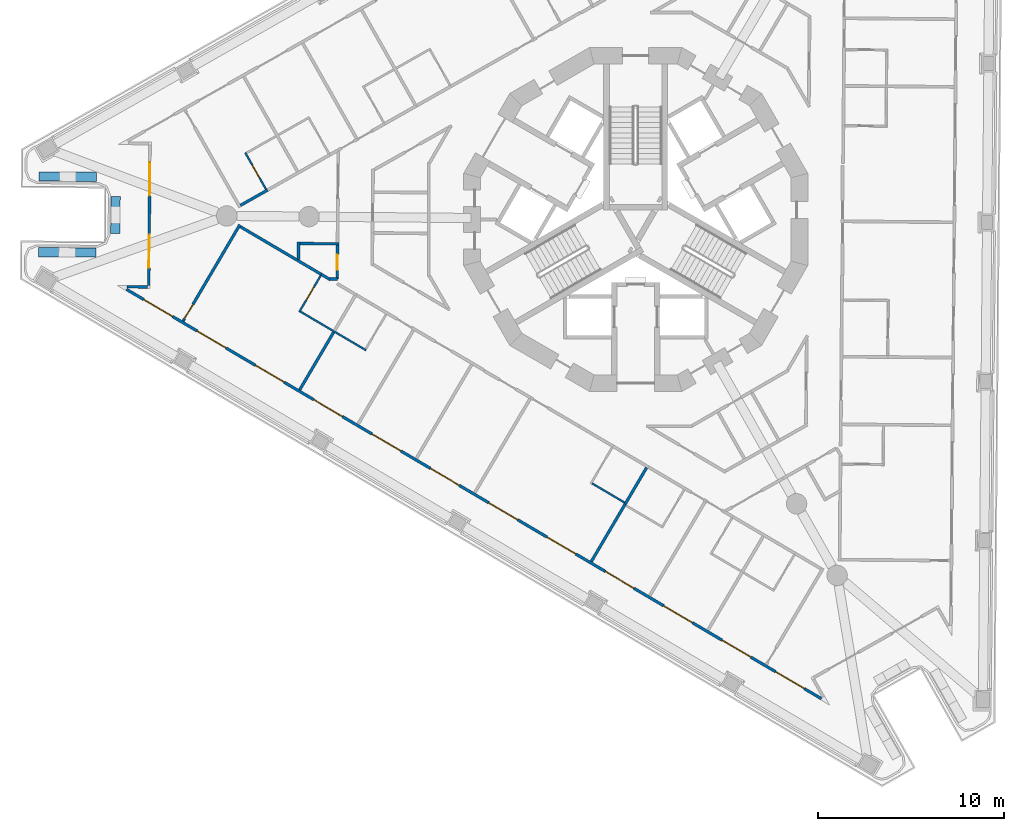
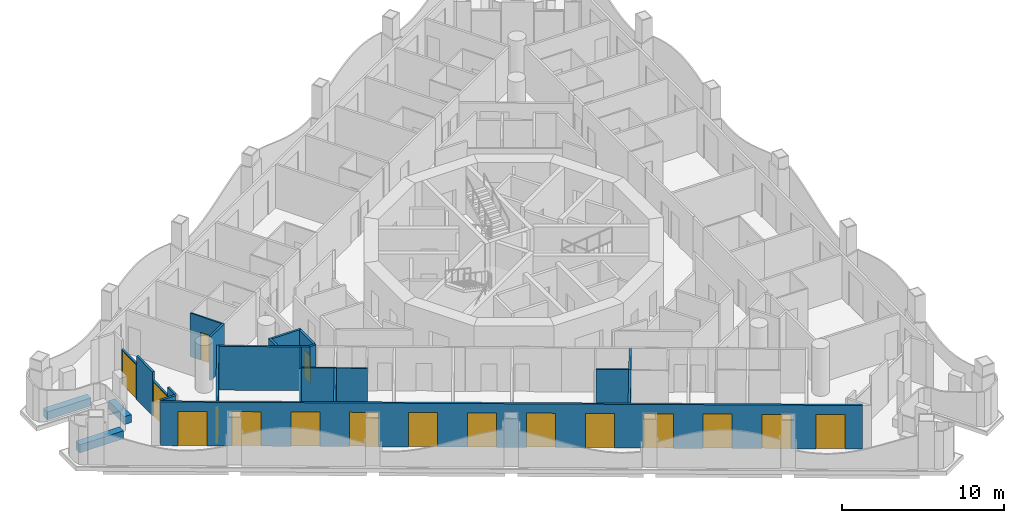
# One storey, part 2 of 18: 24 walls, 18 doors, 18 openings.
"""IFC4 building model written with IfcOpenShell, lengths in metres."""

from ifc_helpers import new_model, si_unit, direction, frame, frame_2d, origin, place, context, subcontext, project, spatial, polyline, rectangle, outline, extrude, material, layer, layer_set, type_object, element, fill, save


model = new_model("IFC4")

# Units and contexts
model_context = context("Model", 3, precision=1e-05, world=origin(), true_north=direction((0.0, 1.0)))
body_context = subcontext(model_context, "Body", "Model", "MODEL_VIEW")
ifc_project = project(units=[si_unit("LENGTHUNIT", "METRE"), si_unit("AREAUNIT", "SQUARE_METRE"), si_unit("VOLUMEUNIT", "CUBIC_METRE"), si_unit("PLANEANGLEUNIT", "RADIAN"), si_unit("MASSUNIT", "GRAM", prefix="KILO")], contexts=[model_context])

# Site, building, storey
site_placement = place(None, origin())
site = spatial("IfcSite", under=ifc_project, at=site_placement, CompositionType="ELEMENT")
building_placement = place(site_placement, origin())
building = spatial("IfcBuilding", under=site, at=building_placement, Name="Trine Commons Tower", CompositionType="ELEMENT")
storey_placement = place(building_placement, frame((0.0, 0.0, 171.89990234375)))
storey = spatial("IfcBuildingStorey", under=building, at=storey_placement, Name="L44", CompositionType="ELEMENT", Elevation=171.89990234375)

# Walls
ifc_material_1 = material(Name="Aluminium-framed insulated wall panel", Category="aluminium")
ifc_layer_1 = layer(ifc_material_1, 0.14990234375)
ifc_layer_set_1 = layer_set([ifc_layer_1], Name="Aluminium-framed insulated wall panel")
wall_type_1 = type_object("IfcWallType", Name="Glazed frame wall 150, EI 60", PredefinedType="SOLIDWALL", material=ifc_layer_set_1)
wall_1_placement = place(storey_placement, frame((52.447265625, 58.875244140625, 0.0), z_axis=(0.0, 0.0, 1.0), x_axis=(0.999962043845, -0.008712684354, 0.0)))
element("IfcWall", 1, at=wall_1_placement, inside=storey, type_object=wall_type_1, Name="Glazed frame wall R1", PredefinedType="SOLIDWALL", context=body_context, shape_type="SweptSolid", body=[
    extrude(outline(polyline([(0.1494140625, 0.074951171875), (0.1494140625, -0.074951171875), (1.235107421875, -0.074951171875), (1.235107421875, 0.074951171875), (0.1494140625, 0.074951171875)])), origin(), (0.0, 0.0, 1.0), 3.300048828125),
])
wall_2_placement = place(storey_placement, frame((53.7568359375, 58.828857421875, 0.0), z_axis=(0.0, 0.0, 1.0), x_axis=(0.008788723053, 0.999961378428, 0.0)))
element("IfcWall", 2, at=wall_2_placement, inside=storey, type_object=wall_type_1, Name="Glazed frame wall P1.1", PredefinedType="SOLIDWALL", context=body_context, shape_type="SweptSolid", body=[
    extrude(outline(polyline([(0.110107421875, -0.074951171875), (1.0, -0.074951171875), (1.0, 0.074951171875), (0.110107421875, 0.074951171875), (0.110107421875, -0.074951171875)])), origin(), (0.0, 0.0, 1.0), 3.300048828125),
])

# Wall, opening, door
wall_3_placement = place(storey_placement, frame((53.765625, 59.828857421875, 0.0), z_axis=(0.0, 0.0, 1.0), x_axis=(0.008737780017, 0.999961824872, 0.0)))
wall_3 = element("IfcWall", 3, at=wall_3_placement, inside=storey, type_object=wall_type_1, Name="Glazed frame wall P1.2", PredefinedType="SOLIDWALL", context=body_context, shape_type="SweptSolid", body=[
    extrude(outline(polyline([(0.0, -0.074951171875), (1.89990234375, -0.074951171875), (1.89990234375, 0.074951171875), (0.0, 0.074951171875), (0.0, -0.074951171875)])), origin(), (0.0, 0.0, 1.0), 2.650146484375),
])
opening_1_placement = place(wall_3_placement, frame((0.050048828125, 0.0, 0.0)))
opening_1 = element("IfcOpeningElement", 4, at=opening_1_placement, cuts=wall_3, Name="Opening BD-5P1-01", PredefinedType="OPENING", context=body_context, shape_type="SweptSolid", body=[
    extrude(rectangle(XDim=1.800048828125, YDim=2.60009765625, at=frame_2d((0.89990234375, 1.300048828125))), frame((0.0, 0.0849609375, 0.0), z_axis=(0.0, -1.0, 0.0), x_axis=(1.0, 0.0, 0.0)), (0.0, 0.0, 1.0), 0.169921875),
])
ifc_material_2 = material(Name="Anodised aluminium frame with double glazing", Category="aluminium")
door_type_1 = type_object("IfcDoorType", Name="Sliding loggia door 1800x2600", OperationType="SLIDING_TO_LEFT", PredefinedType="DOOR", material=ifc_material_2)
door_1_placement = place(opening_1_placement, origin())
door_1 = element("IfcDoor", 5, at=door_1_placement, inside=storey, type_object=door_type_1, Name="Loggia door P1 1", OperationType="SLIDING_TO_LEFT", OverallHeight=2.60009765625, OverallWidth=1.800048828125, PredefinedType="DOOR", context=body_context, shape_type="SweptSolid", body=[
    extrude(rectangle(XDim=1.800048828125, YDim=2.60009765625, at=frame_2d((0.89990234375, 1.300048828125))), frame((0.0, 0.02490234375, 0.0), z_axis=(0.0, -1.0, 0.0), x_axis=(1.0, 0.0, 0.0)), (0.0, 0.0, 1.0), 0.050048828125),
])
fill(opening_1, door_1)

# Wall
wall_4_placement = place(storey_placement, frame((53.7822265625, 61.728759765625, 0.0), z_axis=(0.0, 0.0, 1.0), x_axis=(0.008788723053, 0.999961378428, 0.0)))
element("IfcWall", 6, at=wall_4_placement, inside=storey, type_object=wall_type_1, Name="Glazed frame wall P1.3", PredefinedType="SOLIDWALL", context=body_context, shape_type="SweptSolid", body=[
    extrude(outline(polyline([(0.0, -0.074951171875), (2.0, -0.074951171875), (2.0, 0.074951171875), (0.0, 0.074951171875), (0.0, -0.074951171875)])), origin(), (0.0, 0.0, 1.0), 3.300048828125),
])

# Wall, opening, door
wall_5_placement = place(storey_placement, frame((53.7998046875, 63.728759765625, 0.0), z_axis=(0.0, 0.0, 1.0), x_axis=(0.008609292847, 0.999962939352, 0.0)))
wall_5 = element("IfcWall", 7, at=wall_5_placement, inside=storey, type_object=wall_type_1, Name="Glazed frame wall P1.4", PredefinedType="SOLIDWALL", context=body_context, shape_type="SweptSolid", body=[
    extrude(outline(polyline([(0.0, -0.074951171875), (1.89990234375, -0.074951171875), (1.89990234375, 0.074951171875), (0.0, 0.074951171875), (0.0, -0.074951171875)])), origin(), (0.0, 0.0, 1.0), 2.650146484375),
])
opening_2_placement = place(wall_5_placement, frame((0.050048828125, 0.0, 0.0)))
opening_2 = element("IfcOpeningElement", 8, at=opening_2_placement, cuts=wall_5, Name="Opening BD-5P1-02", PredefinedType="OPENING", context=body_context, shape_type="SweptSolid", body=[
    extrude(rectangle(XDim=1.800048828125, YDim=2.60009765625, at=frame_2d((0.89990234375, 1.300048828125))), frame((0.0, 0.0849609375, 0.0), z_axis=(0.0, -1.0, 0.0), x_axis=(1.0, 0.0, 0.0)), (0.0, 0.0, 1.0), 0.169921875),
])
door_2_placement = place(opening_2_placement, origin())
door_2 = element("IfcDoor", 9, at=door_2_placement, inside=storey, type_object=door_type_1, Name="Loggia door P1 2", OperationType="SLIDING_TO_LEFT", OverallHeight=2.60009765625, OverallWidth=1.800048828125, PredefinedType="DOOR", context=body_context, shape_type="SweptSolid", body=[
    extrude(rectangle(XDim=1.800048828125, YDim=2.60009765625, at=frame_2d((0.89990234375, 1.300048828125))), frame((0.0, 0.02490234375, 0.0), z_axis=(0.0, -1.0, 0.0), x_axis=(1.0, 0.0, 0.0)), (0.0, 0.0, 1.0), 0.050048828125),
])
fill(opening_2, door_2)

# Wall, openings, doors
wall_6_placement = place(storey_placement, frame((90.139404296875, 36.59716796875, 0.0), z_axis=(0.0, 0.0, 1.0), x_axis=(-0.861630336939, 0.507536365659, 0.0)))
wall_6 = element("IfcWall", 10, at=wall_6_placement, inside=storey, type_object=wall_type_1, Name="Glazed frame wall F3", PredefinedType="SOLIDWALL", context=body_context, shape_type="SweptSolid", body=[
    extrude(outline(polyline([(0.1494140625, 0.074951171875), (0.1494140625, -0.074951171875), (43.616943359375, -0.074951171875), (43.616943359375, 0.074951171875), (0.1494140625, 0.074951171875)])), origin(), (0.0, 0.0, 1.0), 3.300048828125),
])
opening_3_placement = place(wall_6_placement, frame((1.2236328125, 0.0, 0.0)))
opening_3 = element("IfcOpeningElement", 11, at=opening_3_placement, cuts=wall_6, Name="Opening BD-5F3-01", PredefinedType="OPENING", context=body_context, shape_type="SweptSolid", body=[
    extrude(rectangle(XDim=1.800048828125, YDim=2.60009765625, at=frame_2d((0.89990234375, 1.300048828125))), frame((0.0, 0.0849609375, 0.0), z_axis=(0.0, -1.0, 0.0), x_axis=(1.0, 0.0, 0.0)), (0.0, 0.0, 1.0), 0.169921875),
])
opening_4_placement = place(wall_6_placement, frame((4.57080078125, 0.0, 0.0)))
opening_4 = element("IfcOpeningElement", 12, at=opening_4_placement, cuts=wall_6, Name="Opening BD-5F3-02", PredefinedType="OPENING", context=body_context, shape_type="SweptSolid", body=[
    extrude(rectangle(XDim=1.800048828125, YDim=2.60009765625, at=frame_2d((0.89990234375, 1.300048828125))), frame((0.0, 0.0849609375, 0.0), z_axis=(0.0, -1.0, 0.0), x_axis=(1.0, 0.0, 0.0)), (0.0, 0.0, 1.0), 0.169921875),
])
opening_5_placement = place(wall_6_placement, frame((8.218017578125, 0.0, 0.0)))
opening_5 = element("IfcOpeningElement", 13, at=opening_5_placement, cuts=wall_6, Name="Opening BD-5F3-03", PredefinedType="OPENING", context=body_context, shape_type="SweptSolid", body=[
    extrude(rectangle(XDim=1.800048828125, YDim=2.60009765625, at=frame_2d((0.89990234375, 1.300048828125))), frame((0.0, 0.0849609375, 0.0), z_axis=(0.0, -1.0, 0.0), x_axis=(1.0, 0.0, 0.0)), (0.0, 0.0, 1.0), 0.169921875),
])
opening_6_placement = place(wall_6_placement, frame((11.865234375, 0.0, 0.0)))
opening_6 = element("IfcOpeningElement", 14, at=opening_6_placement, cuts=wall_6, Name="Opening BD-5F3-04", PredefinedType="OPENING", context=body_context, shape_type="SweptSolid", body=[
    extrude(rectangle(XDim=1.800048828125, YDim=2.60009765625, at=frame_2d((0.89990234375, 1.300048828125))), frame((0.0, 0.0849609375, 0.0), z_axis=(0.0, -1.0, 0.0), x_axis=(1.0, 0.0, 0.0)), (0.0, 0.0, 1.0), 0.169921875),
])
opening_7_placement = place(wall_6_placement, frame((15.512451171875, 0.0, 0.0)))
opening_7 = element("IfcOpeningElement", 15, at=opening_7_placement, cuts=wall_6, Name="Opening BD-5F3-05", PredefinedType="OPENING", context=body_context, shape_type="SweptSolid", body=[
    extrude(rectangle(XDim=1.800048828125, YDim=2.60009765625, at=frame_2d((0.89990234375, 1.300048828125))), frame((0.0, 0.0849609375, 0.0), z_axis=(0.0, -1.0, 0.0), x_axis=(1.0, 0.0, 0.0)), (0.0, 0.0, 1.0), 0.169921875),
])
opening_8_placement = place(wall_6_placement, frame((19.15966796875, 0.0, 0.0)))
opening_8 = element("IfcOpeningElement", 16, at=opening_8_placement, cuts=wall_6, Name="Opening BD-5F3-06", PredefinedType="OPENING", context=body_context, shape_type="SweptSolid", body=[
    extrude(rectangle(XDim=1.800048828125, YDim=2.60009765625, at=frame_2d((0.89990234375, 1.300048828125))), frame((0.0, 0.0849609375, 0.0), z_axis=(0.0, -1.0, 0.0), x_axis=(1.0, 0.0, 0.0)), (0.0, 0.0, 1.0), 0.169921875),
])
opening_9_placement = place(wall_6_placement, frame((22.806884765625, 0.0, 0.0)))
opening_9 = element("IfcOpeningElement", 17, at=opening_9_placement, cuts=wall_6, Name="Opening BD-5F3-07", PredefinedType="OPENING", context=body_context, shape_type="SweptSolid", body=[
    extrude(rectangle(XDim=1.800048828125, YDim=2.60009765625, at=frame_2d((0.89990234375, 1.300048828125))), frame((0.0, 0.0849609375, 0.0), z_axis=(0.0, -1.0, 0.0), x_axis=(1.0, 0.0, 0.0)), (0.0, 0.0, 1.0), 0.169921875),
])
opening_10_placement = place(wall_6_placement, frame((26.4541015625, 0.0, 0.0)))
opening_10 = element("IfcOpeningElement", 18, at=opening_10_placement, cuts=wall_6, Name="Opening BD-5F3-08", PredefinedType="OPENING", context=body_context, shape_type="SweptSolid", body=[
    extrude(rectangle(XDim=1.800048828125, YDim=2.60009765625, at=frame_2d((0.89990234375, 1.300048828125))), frame((0.0, 0.0849609375, 0.0), z_axis=(0.0, -1.0, 0.0), x_axis=(1.0, 0.0, 0.0)), (0.0, 0.0, 1.0), 0.169921875),
])
opening_11_placement = place(wall_6_placement, frame((30.101318359375, 0.0, 0.0)))
opening_11 = element("IfcOpeningElement", 19, at=opening_11_placement, cuts=wall_6, Name="Opening BD-5F3-09", PredefinedType="OPENING", context=body_context, shape_type="SweptSolid", body=[
    extrude(rectangle(XDim=1.800048828125, YDim=2.60009765625, at=frame_2d((0.89990234375, 1.300048828125))), frame((0.0, 0.0849609375, 0.0), z_axis=(0.0, -1.0, 0.0), x_axis=(1.0, 0.0, 0.0)), (0.0, 0.0, 1.0), 0.169921875),
])
opening_12_placement = place(wall_6_placement, frame((33.748291015625, 0.0, 0.0)))
opening_12 = element("IfcOpeningElement", 20, at=opening_12_placement, cuts=wall_6, Name="Opening BD-5F3-10", PredefinedType="OPENING", context=body_context, shape_type="SweptSolid", body=[
    extrude(rectangle(XDim=1.800048828125, YDim=2.60009765625, at=frame_2d((0.89990234375, 1.300048828125))), frame((0.0, 0.0849609375, 0.0), z_axis=(0.0, -1.0, 0.0), x_axis=(1.0, 0.0, 0.0)), (0.0, 0.0, 1.0), 0.169921875),
])
opening_13_placement = place(wall_6_placement, frame((37.3955078125, 0.0, 0.0)))
opening_13 = element("IfcOpeningElement", 21, at=opening_13_placement, cuts=wall_6, Name="Opening BD-5F3-11", PredefinedType="OPENING", context=body_context, shape_type="SweptSolid", body=[
    extrude(rectangle(XDim=1.800048828125, YDim=2.60009765625, at=frame_2d((0.89990234375, 1.300048828125))), frame((0.0, 0.0849609375, 0.0), z_axis=(0.0, -1.0, 0.0), x_axis=(1.0, 0.0, 0.0)), (0.0, 0.0, 1.0), 0.169921875),
])
opening_14_placement = place(wall_6_placement, frame((40.742919921875, 0.0, 0.0)))
opening_14 = element("IfcOpeningElement", 22, at=opening_14_placement, cuts=wall_6, Name="Opening BD-5F3-12", PredefinedType="OPENING", context=body_context, shape_type="SweptSolid", body=[
    extrude(rectangle(XDim=1.800048828125, YDim=2.60009765625, at=frame_2d((0.89990234375, 1.300048828125))), frame((0.0, 0.0849609375, 0.0), z_axis=(0.0, -1.0, 0.0), x_axis=(1.0, 0.0, 0.0)), (0.0, 0.0, 1.0), 0.169921875),
])
door_3_placement = place(opening_3_placement, origin())
door_3 = element("IfcDoor", 23, at=door_3_placement, inside=storey, type_object=door_type_1, Name="Loggia door F3 1", OperationType="SLIDING_TO_LEFT", OverallHeight=2.60009765625, OverallWidth=1.800048828125, PredefinedType="DOOR", context=body_context, shape_type="SweptSolid", body=[
    extrude(rectangle(XDim=1.800048828125, YDim=2.60009765625, at=frame_2d((0.89990234375, 1.300048828125))), frame((0.0, 0.02490234375, 0.0), z_axis=(0.0, -1.0, 0.0), x_axis=(1.0, 0.0, 0.0)), (0.0, 0.0, 1.0), 0.050048828125),
])
fill(opening_3, door_3)
door_4_placement = place(opening_4_placement, origin())
door_4 = element("IfcDoor", 24, at=door_4_placement, inside=storey, type_object=door_type_1, Name="Loggia door F3 2", OperationType="SLIDING_TO_LEFT", OverallHeight=2.60009765625, OverallWidth=1.800048828125, PredefinedType="DOOR", context=body_context, shape_type="SweptSolid", body=[
    extrude(rectangle(XDim=1.800048828125, YDim=2.60009765625, at=frame_2d((0.89990234375, 1.300048828125))), frame((0.0, 0.02490234375, 0.0), z_axis=(0.0, -1.0, 0.0), x_axis=(1.0, 0.0, 0.0)), (0.0, 0.0, 1.0), 0.050048828125),
])
fill(opening_4, door_4)
door_5_placement = place(opening_5_placement, origin())
door_5 = element("IfcDoor", 25, at=door_5_placement, inside=storey, type_object=door_type_1, Name="Loggia door F3 3", OperationType="SLIDING_TO_LEFT", OverallHeight=2.60009765625, OverallWidth=1.800048828125, PredefinedType="DOOR", context=body_context, shape_type="SweptSolid", body=[
    extrude(rectangle(XDim=1.800048828125, YDim=2.60009765625, at=frame_2d((0.89990234375, 1.300048828125))), frame((0.0, 0.02490234375, 0.0), z_axis=(0.0, -1.0, 0.0), x_axis=(1.0, 0.0, 0.0)), (0.0, 0.0, 1.0), 0.050048828125),
])
fill(opening_5, door_5)
door_6_placement = place(opening_6_placement, origin())
door_6 = element("IfcDoor", 26, at=door_6_placement, inside=storey, type_object=door_type_1, Name="Loggia door F3 4", OperationType="SLIDING_TO_LEFT", OverallHeight=2.60009765625, OverallWidth=1.800048828125, PredefinedType="DOOR", context=body_context, shape_type="SweptSolid", body=[
    extrude(rectangle(XDim=1.800048828125, YDim=2.60009765625, at=frame_2d((0.89990234375, 1.300048828125))), frame((0.0, 0.02490234375, 0.0), z_axis=(0.0, -1.0, 0.0), x_axis=(1.0, 0.0, 0.0)), (0.0, 0.0, 1.0), 0.050048828125),
])
fill(opening_6, door_6)
door_7_placement = place(opening_7_placement, origin())
door_7 = element("IfcDoor", 27, at=door_7_placement, inside=storey, type_object=door_type_1, Name="Loggia door F3 5", OperationType="SLIDING_TO_LEFT", OverallHeight=2.60009765625, OverallWidth=1.800048828125, PredefinedType="DOOR", context=body_context, shape_type="SweptSolid", body=[
    extrude(rectangle(XDim=1.800048828125, YDim=2.60009765625, at=frame_2d((0.89990234375, 1.300048828125))), frame((0.0, 0.02490234375, 0.0), z_axis=(0.0, -1.0, 0.0), x_axis=(1.0, 0.0, 0.0)), (0.0, 0.0, 1.0), 0.050048828125),
])
fill(opening_7, door_7)
door_8_placement = place(opening_8_placement, origin())
door_8 = element("IfcDoor", 28, at=door_8_placement, inside=storey, type_object=door_type_1, Name="Loggia door F3 6", OperationType="SLIDING_TO_LEFT", OverallHeight=2.60009765625, OverallWidth=1.800048828125, PredefinedType="DOOR", context=body_context, shape_type="SweptSolid", body=[
    extrude(rectangle(XDim=1.800048828125, YDim=2.60009765625, at=frame_2d((0.89990234375, 1.300048828125))), frame((0.0, 0.02490234375, 0.0), z_axis=(0.0, -1.0, 0.0), x_axis=(1.0, 0.0, 0.0)), (0.0, 0.0, 1.0), 0.050048828125),
])
fill(opening_8, door_8)
door_9_placement = place(opening_9_placement, origin())
door_9 = element("IfcDoor", 29, at=door_9_placement, inside=storey, type_object=door_type_1, Name="Loggia door F3 7", OperationType="SLIDING_TO_LEFT", OverallHeight=2.60009765625, OverallWidth=1.800048828125, PredefinedType="DOOR", context=body_context, shape_type="SweptSolid", body=[
    extrude(rectangle(XDim=1.800048828125, YDim=2.60009765625, at=frame_2d((0.89990234375, 1.300048828125))), frame((0.0, 0.02490234375, 0.0), z_axis=(0.0, -1.0, 0.0), x_axis=(1.0, 0.0, 0.0)), (0.0, 0.0, 1.0), 0.050048828125),
])
fill(opening_9, door_9)
door_10_placement = place(opening_10_placement, origin())
door_10 = element("IfcDoor", 30, at=door_10_placement, inside=storey, type_object=door_type_1, Name="Loggia door F3 8", OperationType="SLIDING_TO_LEFT", OverallHeight=2.60009765625, OverallWidth=1.800048828125, PredefinedType="DOOR", context=body_context, shape_type="SweptSolid", body=[
    extrude(rectangle(XDim=1.800048828125, YDim=2.60009765625, at=frame_2d((0.89990234375, 1.300048828125))), frame((0.0, 0.02490234375, 0.0), z_axis=(0.0, -1.0, 0.0), x_axis=(1.0, 0.0, 0.0)), (0.0, 0.0, 1.0), 0.050048828125),
])
fill(opening_10, door_10)
door_11_placement = place(opening_11_placement, origin())
door_11 = element("IfcDoor", 31, at=door_11_placement, inside=storey, type_object=door_type_1, Name="Loggia door F3 9", OperationType="SLIDING_TO_LEFT", OverallHeight=2.60009765625, OverallWidth=1.800048828125, PredefinedType="DOOR", context=body_context, shape_type="SweptSolid", body=[
    extrude(rectangle(XDim=1.800048828125, YDim=2.60009765625, at=frame_2d((0.89990234375, 1.300048828125))), frame((0.0, 0.02490234375, 0.0), z_axis=(0.0, -1.0, 0.0), x_axis=(1.0, 0.0, 0.0)), (0.0, 0.0, 1.0), 0.050048828125),
])
fill(opening_11, door_11)
door_12_placement = place(opening_12_placement, origin())
door_12 = element("IfcDoor", 32, at=door_12_placement, inside=storey, type_object=door_type_1, Name="Loggia door F3 10", OperationType="SLIDING_TO_LEFT", OverallHeight=2.60009765625, OverallWidth=1.800048828125, PredefinedType="DOOR", context=body_context, shape_type="SweptSolid", body=[
    extrude(rectangle(XDim=1.800048828125, YDim=2.60009765625, at=frame_2d((0.89990234375, 1.300048828125))), frame((0.0, 0.02490234375, 0.0), z_axis=(0.0, -1.0, 0.0), x_axis=(1.0, 0.0, 0.0)), (0.0, 0.0, 1.0), 0.050048828125),
])
fill(opening_12, door_12)
door_13_placement = place(opening_13_placement, origin())
door_13 = element("IfcDoor", 33, at=door_13_placement, inside=storey, type_object=door_type_1, Name="Loggia door F3 11", OperationType="SLIDING_TO_LEFT", OverallHeight=2.60009765625, OverallWidth=1.800048828125, PredefinedType="DOOR", context=body_context, shape_type="SweptSolid", body=[
    extrude(rectangle(XDim=1.800048828125, YDim=2.60009765625, at=frame_2d((0.89990234375, 1.300048828125))), frame((0.0, 0.02490234375, 0.0), z_axis=(0.0, -1.0, 0.0), x_axis=(1.0, 0.0, 0.0)), (0.0, 0.0, 1.0), 0.050048828125),
])
fill(opening_13, door_13)
door_14_placement = place(opening_14_placement, origin())
door_14 = element("IfcDoor", 34, at=door_14_placement, inside=storey, type_object=door_type_1, Name="Loggia door F3 12", OperationType="SLIDING_TO_LEFT", OverallHeight=2.60009765625, OverallWidth=1.800048828125, PredefinedType="DOOR", context=body_context, shape_type="SweptSolid", body=[
    extrude(rectangle(XDim=1.800048828125, YDim=2.60009765625, at=frame_2d((0.89990234375, 1.300048828125))), frame((0.0, 0.02490234375, 0.0), z_axis=(0.0, -1.0, 0.0), x_axis=(1.0, 0.0, 0.0)), (0.0, 0.0, 1.0), 0.050048828125),
])
fill(opening_14, door_14)

# Walls
ifc_material_3 = material(Name="Planter trough, precast concrete C40/50", Category="concrete")
ifc_layer_2 = layer(ifc_material_3, 0.5)
ifc_layer_set_2 = layer_set([ifc_layer_2], Name="Planter trough, precast concrete C40/50")
wall_type_2 = type_object("IfcWallType", Name="Planter trough 500x600", PredefinedType="PARAPET", material=ifc_layer_set_2)
wall_7_placement = place(storey_placement, frame((47.808349609375, 60.74072265625, 0.0), z_axis=(0.0, 0.0, 1.0), x_axis=(0.99996247431, -0.008663138708, 0.0)))
element("IfcWall", 35, at=wall_7_placement, inside=storey, type_object=wall_type_2, Name="Planter 1", PredefinedType="PARAPET", context=body_context, shape_type="SweptSolid", body=[
    extrude(rectangle(XDim=3.099853515625, YDim=0.5, at=frame_2d((1.5498046875, 0.0))), origin(), (0.0, 0.0, 1.0), 0.60009765625),
])
wall_8_placement = place(storey_placement, frame((51.957275390625, 61.74462890625, 0.0), z_axis=(0.0, 0.0, 1.0), x_axis=(0.008666666688, 0.999962443739, 0.0)))
element("IfcWall", 36, at=wall_8_placement, inside=storey, type_object=wall_type_2, Name="Planter 2", PredefinedType="PARAPET", context=body_context, shape_type="SweptSolid", body=[
    extrude(rectangle(XDim=2.0, YDim=0.5, at=frame_2d((1.0, 0.0))), origin(), (0.0, 0.0, 1.0), 0.60009765625),
])
wall_9_placement = place(storey_placement, frame((50.94384765625, 64.793701171875, 0.0), z_axis=(0.0, 0.0, 1.0), x_axis=(-0.999961788962, 0.008741888523, 0.0)))
element("IfcWall", 37, at=wall_9_placement, inside=storey, type_object=wall_type_2, Name="Planter 3", PredefinedType="PARAPET", context=body_context, shape_type="SweptSolid", body=[
    extrude(rectangle(XDim=3.099853515625, YDim=0.5, at=frame_2d((1.5498046875, 0.0))), origin(), (0.0, 0.0, 1.0), 0.60009765625),
])

# Wall, opening, door
ifc_material_4 = material(Name="Gypsum plasterboard on steel stud", Category="steel")
ifc_layer_3 = layer(ifc_material_4, 0.14990234375)
ifc_layer_set_3 = layer_set([ifc_layer_3], Name="Gypsum plasterboard on steel stud")
wall_type_3 = type_object("IfcWallType", Name="Unit and corridor wall 150 mm, EI 60", PredefinedType="PARTITIONING", material=ifc_layer_set_3)
wall_10_placement = place(storey_placement, frame((55.609375, 57.0234375, 0.0), z_axis=(0.0, 0.0, 1.0), x_axis=(0.507512364089, 0.861644474419, 0.0)))
wall_10 = element("IfcWall", 38, at=wall_10_placement, inside=storey, type_object=wall_type_3, Name="Partition 001", PredefinedType="PARTITIONING", context=body_context, shape_type="SweptSolid", body=[
    extrude(rectangle(XDim=6.024658203125, YDim=0.14990234375, at=frame_2d((3.01220703125, 0.0))), origin(), (0.0, 0.0, 1.0), 3.300048828125),
])
opening_15_placement = place(wall_10_placement, frame((0.14990234375, 0.0, 0.0)))
opening_15 = element("IfcOpeningElement", 39, at=opening_15_placement, cuts=wall_10, Name="Opening D-5B29", PredefinedType="OPENING", context=body_context, shape_type="SweptSolid", body=[
    extrude(rectangle(XDim=0.89990234375, YDim=2.10009765625, at=frame_2d((0.449951171875, 1.050048828125))), frame((0.0, 0.0849609375, 0.0), z_axis=(0.0, -1.0, 0.0), x_axis=(1.0, 0.0, 0.0)), (0.0, 0.0, 1.0), 0.169921875),
])
ifc_material_5 = material(Name="Timber fire door set", Category="wood")
door_type_2 = type_object("IfcDoorType", Name="Bedroom door 900 x 2100, FD30S", OperationType="NOTDEFINED", PredefinedType="DOOR", material=ifc_material_5)
door_15_placement = place(opening_15_placement, frame((0.89990234375, 0.0, 0.0), z_axis=(0.0, 0.0, 1.0), x_axis=(-1.0, 0.0, 0.0)))
door_15 = element("IfcDoor", 40, at=door_15_placement, inside=storey, type_object=door_type_2, Name="Door D-5B29", OperationType="SINGLE_SWING_RIGHT", OverallHeight=2.10009765625, OverallWidth=0.89990234375, PredefinedType="DOOR", context=body_context, shape_type="SweptSolid", body=[
    extrude(rectangle(XDim=0.89990234375, YDim=2.10009765625, at=frame_2d((0.449951171875, 1.050048828125))), frame((0.0, 0.02490234375, 0.0), z_axis=(0.0, -1.0, 0.0), x_axis=(1.0, 0.0, 0.0)), (0.0, 0.0, 1.0), 0.050048828125),
])
fill(opening_15, door_15)

# Walls
wall_11_placement = place(storey_placement, frame((58.693603515625, 62.11181640625, 0.0), z_axis=(0.0, 0.0, 1.0), x_axis=(0.861647069411, -0.507507958336, 0.0)))
element("IfcWall", 41, at=wall_11_placement, inside=storey, type_object=wall_type_3, Name="Partition 003", PredefinedType="PARTITIONING", context=body_context, shape_type="SweptSolid", body=[
    extrude(rectangle(XDim=5.0732421875, YDim=0.14990234375, at=frame_2d((2.53662109375, 0.0))), origin(), (0.0, 0.0, 1.0), 3.300048828125),
])
wall_12_placement = place(storey_placement, frame((58.704345703125, 63.260009765625, 0.0), z_axis=(0.0, 0.0, 1.0), x_axis=(0.870190857822, 0.492714796778, 0.0)))
element("IfcWall", 42, at=wall_12_placement, inside=storey, type_object=wall_type_3, Name="Partition 004", PredefinedType="PARTITIONING", context=body_context, shape_type="SweptSolid", body=[
    extrude(rectangle(XDim=1.67578125, YDim=0.14990234375, at=frame_2d((0.837890625, 0.0))), origin(), (0.0, 0.0, 1.0), 3.300048828125),
])
wall_13_placement = place(storey_placement, frame((61.82568359375, 60.343017578125, 0.0), z_axis=(0.0, 0.0, 1.0), x_axis=(0.008337386084, 0.999965243393, 0.0)))
element("IfcWall", 43, at=wall_13_placement, inside=storey, type_object=wall_type_3, Name="Partition 010", PredefinedType="PARTITIONING", context=body_context, shape_type="SweptSolid", body=[
    extrude(rectangle(XDim=0.93701171875, YDim=0.14990234375, at=frame_2d((0.468505859375, 0.0))), origin(), (0.0, 0.0, 1.0), 3.300048828125),
])
wall_14_placement = place(storey_placement, frame((61.907958984375, 61.204345703125, 0.0), z_axis=(0.0, 0.0, 1.0), x_axis=(0.999962964822, -0.008606333961, 0.0)))
element("IfcWall", 44, at=wall_14_placement, inside=storey, type_object=wall_type_3, Name="Partition 011", PredefinedType="PARTITIONING", context=body_context, shape_type="SweptSolid", body=[
    extrude(rectangle(XDim=2.09912109375, YDim=0.14990234375, at=frame_2d((1.049560546875, 0.0))), origin(), (0.0, 0.0, 1.0), 3.300048828125),
])
wall_15_placement = place(storey_placement, frame((61.894287109375, 53.321533203125, 0.0), z_axis=(0.0, 0.0, 1.0), x_axis=(0.507657247854, 0.86155912084, 0.0)))
element("IfcWall", 45, at=wall_15_placement, inside=storey, type_object=wall_type_3, Name="Partition 012", PredefinedType="PARTITIONING", context=body_context, shape_type="SweptSolid", body=[
    extrude(rectangle(XDim=3.599609375, YDim=0.14990234375, at=frame_2d((1.7998046875, 0.0))), origin(), (0.0, 0.0, 1.0), 3.300048828125),
])
wall_16_placement = place(storey_placement, frame((63.05908203125, 59.541015625, 0.0), z_axis=(0.0, 0.0, 1.0), x_axis=(0.861380392191, -0.507960451167, 0.0)))
element("IfcWall", 46, at=wall_16_placement, inside=storey, type_object=wall_type_3, Name="Partition 017", PredefinedType="PARTITIONING", context=body_context, shape_type="SweptSolid", body=[
    extrude(rectangle(XDim=0.567138671875, YDim=0.14990234375, at=frame_2d((0.28369140625, 0.0))), origin(), (0.0, 0.0, 1.0), 3.300048828125),
])
wall_17_placement = place(storey_placement, frame((63.537109375, 59.29052734375, 0.0), z_axis=(0.0, 0.0, 1.0), x_axis=(0.99995807265, -0.009157125207, 0.0)))
element("IfcWall", 47, at=wall_17_placement, inside=storey, type_object=wall_type_3, Name="Partition 018", PredefinedType="PARTITIONING", context=body_context, shape_type="SweptSolid", body=[
    extrude(rectangle(XDim=0.39990234375, YDim=0.14990234375, at=frame_2d((0.199951171875, 0.0))), origin(), (0.0, 0.0, 1.0), 3.300048828125),
])

# Wall, opening, door
wall_18_placement = place(storey_placement, frame((63.916015625, 59.282958984375, 0.0), z_axis=(0.0, 0.0, 1.0), x_axis=(0.008923459297, 0.999960185144, 0.0)))
wall_18 = element("IfcWall", 48, at=wall_18_placement, inside=storey, type_object=wall_type_3, Name="Partition 022", PredefinedType="PARTITIONING", context=body_context, shape_type="SweptSolid", body=[
    extrude(rectangle(XDim=1.8330078125, YDim=0.14990234375, at=frame_2d((0.91650390625, 0.0))), origin(), (0.0, 0.0, 1.0), 3.300048828125),
])
opening_16_placement = place(wall_18_placement, frame((0.5185546875, 0.0, 0.0)))
opening_16 = element("IfcOpeningElement", 49, at=opening_16_placement, cuts=wall_18, Name="Opening D-5B05", PredefinedType="OPENING", context=body_context, shape_type="SweptSolid", body=[
    extrude(rectangle(XDim=0.800048828125, YDim=2.10009765625, at=frame_2d((0.39990234375, 1.050048828125))), frame((0.0, 0.0849609375, 0.0), z_axis=(0.0, -1.0, 0.0), x_axis=(1.0, 0.0, 0.0)), (0.0, 0.0, 1.0), 0.169921875),
])
ifc_material_6 = material(Name="Painted timber", Category="wood")
door_type_3 = type_object("IfcDoorType", Name="Toilet door 800 x 2100, NOT RATED", OperationType="NOTDEFINED", PredefinedType="DOOR", material=ifc_material_6)
door_16_placement = place(opening_16_placement, origin())
door_16 = element("IfcDoor", 50, at=door_16_placement, inside=storey, type_object=door_type_3, Name="Door D-5B05", OperationType="SINGLE_SWING_RIGHT", OverallHeight=2.10009765625, OverallWidth=0.800048828125, PredefinedType="DOOR", context=body_context, shape_type="SweptSolid", body=[
    extrude(rectangle(XDim=0.800048828125, YDim=2.10009765625, at=frame_2d((0.39990234375, 1.050048828125))), frame((0.0, 0.02490234375, 0.0), z_axis=(0.0, -1.0, 0.0), x_axis=(1.0, 0.0, 0.0)), (0.0, 0.0, 1.0), 0.050048828125),
])
fill(opening_16, door_16)

# Walls
wall_19_placement = place(storey_placement, frame((77.607421875, 44.06640625, 0.0), z_axis=(0.0, 0.0, 1.0), x_axis=(0.507645549637, 0.861566013683, 0.0)))
element("IfcWall", 51, at=wall_19_placement, inside=storey, type_object=wall_type_3, Name="Partition 059", PredefinedType="PARTITIONING", context=body_context, shape_type="SweptSolid", body=[
    extrude(rectangle(XDim=3.598876953125, YDim=0.14990234375, at=frame_2d((1.79931640625, 0.0))), origin(), (0.0, 0.0, 1.0), 3.300048828125),
])
wall_20_placement = place(storey_placement, frame((79.4326171875, 47.162841796875, 0.0), z_axis=(0.0, 0.0, 1.0), x_axis=(0.507296227994, 0.861771743017, 0.0)))
element("IfcWall", 52, at=wall_20_placement, inside=storey, type_object=wall_type_3, Name="Partition 066", PredefinedType="PARTITIONING", context=body_context, shape_type="SweptSolid", body=[
    extrude(rectangle(XDim=2.27978515625, YDim=0.14990234375, at=frame_2d((1.139892578125, 0.0))), origin(), (0.0, 0.0, 1.0), 3.300048828125),
])

# Wall, opening, door
ifc_layer_4 = layer(ifc_material_4, 0.10009765625)
ifc_layer_set_4 = layer_set([ifc_layer_4], Name="Gypsum plasterboard on steel stud")
wall_type_4 = type_object("IfcWallType", Name="Unit partition 100 mm, no rating", PredefinedType="PARTITIONING", material=ifc_layer_set_4)
wall_21_placement = place(storey_placement, frame((58.95849609375, 66.1044921875, 0.0), z_axis=(0.0, 0.0, 1.0), x_axis=(0.49250622102, -0.870308923462, 0.0)))
wall_21 = element("IfcWall", 53, at=wall_21_placement, inside=storey, type_object=wall_type_4, Name="Partition 006", PredefinedType="PARTITIONING", context=body_context, shape_type="SweptSolid", body=[
    extrude(rectangle(XDim=2.275390625, YDim=0.10009765625, at=frame_2d((1.1376953125, 0.0))), origin(), (0.0, 0.0, 1.0), 3.300048828125),
])
opening_17_placement = place(wall_21_placement, frame((0.7626953125, 0.0, 0.0)))
opening_17 = element("IfcOpeningElement", 54, at=opening_17_placement, cuts=wall_21, Name="Opening D-5B39", PredefinedType="OPENING", context=body_context, shape_type="SweptSolid", body=[
    extrude(rectangle(XDim=0.800048828125, YDim=2.10009765625, at=frame_2d((0.39990234375, 1.050048828125))), frame((0.0, 0.06005859375, 0.0), z_axis=(0.0, -1.0, 0.0), x_axis=(1.0, 0.0, 0.0)), (0.0, 0.0, 1.0), 0.1201171875),
])
door_type_4 = type_object("IfcDoorType", Name="Internal door 800 x 2100, NOT RATED", OperationType="NOTDEFINED", PredefinedType="DOOR", material=ifc_material_6)
door_17_placement = place(opening_17_placement, frame((0.800048828125, 0.0, 0.0), z_axis=(0.0, 0.0, 1.0), x_axis=(-1.0, 0.0, 0.0)))
door_17 = element("IfcDoor", 55, at=door_17_placement, inside=storey, type_object=door_type_4, Name="Door D-5B39", OperationType="SINGLE_SWING_LEFT", OverallHeight=2.10009765625, OverallWidth=0.800048828125, PredefinedType="DOOR", context=body_context, shape_type="SweptSolid", body=[
    extrude(rectangle(XDim=0.800048828125, YDim=2.10009765625, at=frame_2d((0.39990234375, 1.050048828125))), frame((0.0, 0.02490234375, 0.0), z_axis=(0.0, -1.0, 0.0), x_axis=(1.0, 0.0, 0.0)), (0.0, 0.0, 1.0), 0.050048828125),
])
fill(opening_17, door_17)

wall_22_placement = place(storey_placement, frame((61.86865234375, 57.513916015625, 0.0), z_axis=(0.0, 0.0, 1.0), x_axis=(0.50769515182, 0.861536785528, 0.0)))
wall_22 = element("IfcWall", 56, at=wall_22_placement, inside=storey, type_object=wall_type_4, Name="Partition 013", PredefinedType="PARTITIONING", context=body_context, shape_type="SweptSolid", body=[
    extrude(rectangle(XDim=2.275634765625, YDim=0.10009765625, at=frame_2d((1.1376953125, 0.0))), origin(), (0.0, 0.0, 1.0), 3.300048828125),
])
opening_18_placement = place(wall_22_placement, frame((0.7626953125, 0.0, 0.0)))
opening_18 = element("IfcOpeningElement", 57, at=opening_18_placement, cuts=wall_22, Name="Opening D-5B58", PredefinedType="OPENING", context=body_context, shape_type="SweptSolid", body=[
    extrude(rectangle(XDim=0.800048828125, YDim=2.10009765625, at=frame_2d((0.39990234375, 1.050048828125))), frame((0.0, 0.06005859375, 0.0), z_axis=(0.0, -1.0, 0.0), x_axis=(1.0, 0.0, 0.0)), (0.0, 0.0, 1.0), 0.1201171875),
])
door_18_placement = place(opening_18_placement, origin())
door_18 = element("IfcDoor", 58, at=door_18_placement, inside=storey, type_object=door_type_4, Name="Door D-5B58", OperationType="SINGLE_SWING_RIGHT", OverallHeight=2.10009765625, OverallWidth=0.800048828125, PredefinedType="DOOR", context=body_context, shape_type="SweptSolid", body=[
    extrude(rectangle(XDim=0.800048828125, YDim=2.10009765625, at=frame_2d((0.39990234375, 1.050048828125))), frame((0.0, 0.02490234375, 0.0), z_axis=(0.0, -1.0, 0.0), x_axis=(1.0, 0.0, 0.0)), (0.0, 0.0, 1.0), 0.050048828125),
])
fill(opening_18, door_18)

# Walls
wall_23_placement = place(storey_placement, frame((61.93701171875, 57.531494140625, 0.0), z_axis=(0.0, 0.0, 1.0), x_axis=(0.861672366325, -0.507465006785, 0.0)))
element("IfcWall", 59, at=wall_23_placement, inside=storey, type_object=wall_type_4, Name="Partition 014", PredefinedType="PARTITIONING", context=body_context, shape_type="SweptSolid", body=[
    extrude(rectangle(XDim=4.100341796875, YDim=0.10009765625, at=frame_2d((2.05029296875, 0.0))), origin(), (0.0, 0.0, 1.0), 3.300048828125),
])
wall_24_placement = place(storey_placement, frame((77.650146484375, 48.276611328125, 0.0), z_axis=(0.0, 0.0, 1.0), x_axis=(0.861372667152, -0.507973550771, 0.0)))
element("IfcWall", 60, at=wall_24_placement, inside=storey, type_object=wall_type_4, Name="Partition 061", PredefinedType="PARTITIONING", context=body_context, shape_type="SweptSolid", body=[
    extrude(rectangle(XDim=2.02490234375, YDim=0.10009765625, at=frame_2d((1.012451171875, 0.0))), origin(), (0.0, 0.0, 1.0), 3.300048828125),
])

save(model, "model.ifc")
